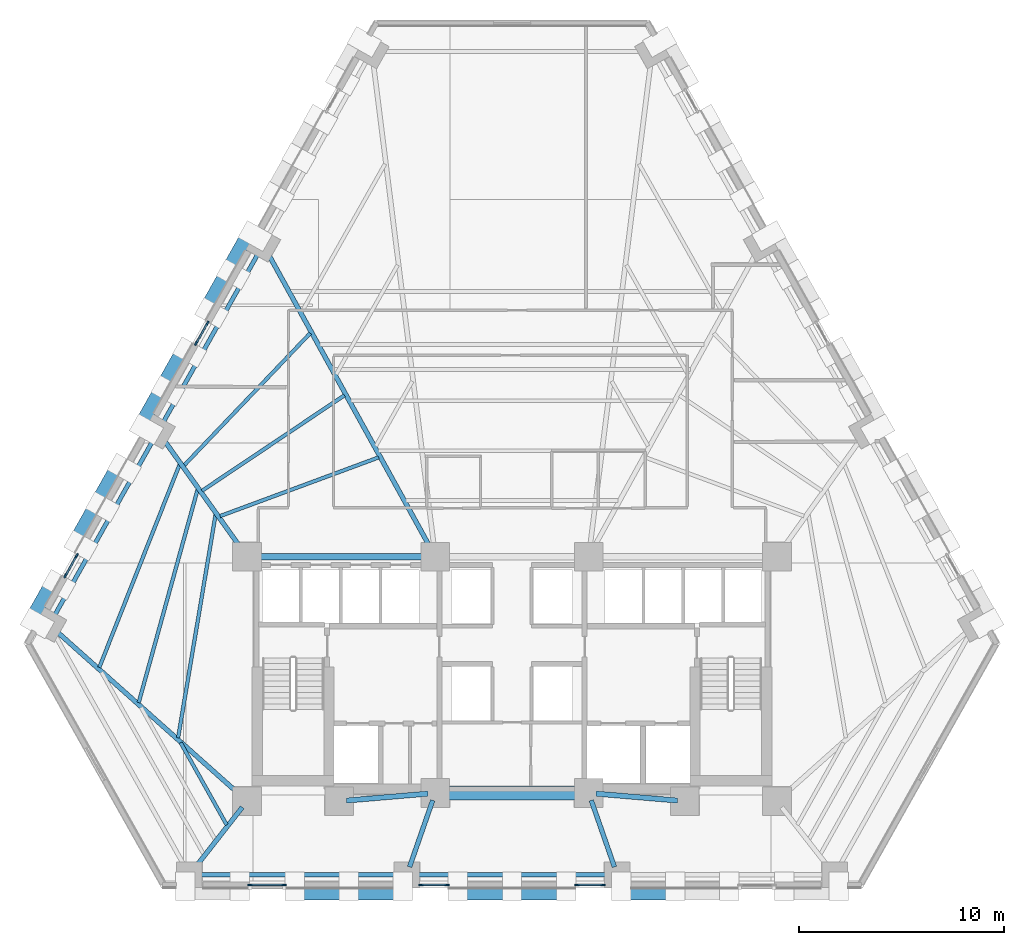
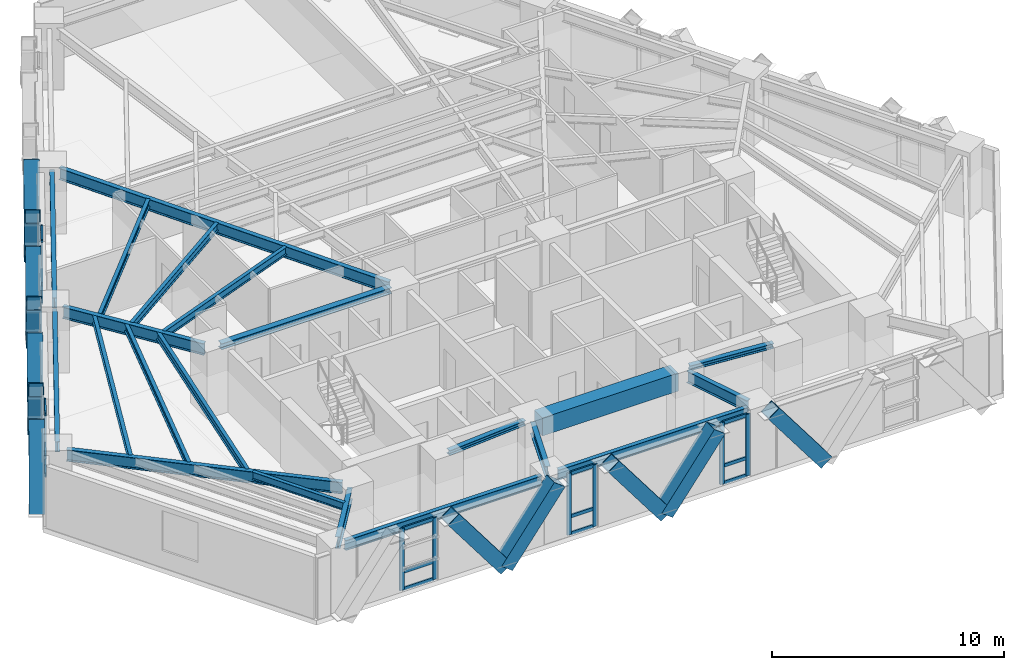
# One storey, part 2 of 13: 37 members, 21 beams, 5 elements without a shape of their own.
"""IFC4 building model written with IfcOpenShell, lengths in metres."""

from ifc_helpers import new_model, si_unit, direction, frame, origin, origin_2d, place, context, subcontext, project, spatial, rectangle, hollow_rectangle, i_section, extrude, material, material_profile, profile_set, type_object, element, aggregate, save


model = new_model("IFC4")

# Units and contexts
model_context = context("Model", 3, precision=1e-05, world=origin(), true_north=direction((0.0, 1.0)))
body_context = subcontext(model_context, "Body", "Model", "MODEL_VIEW")
ifc_project = project(units=[si_unit("LENGTHUNIT", "METRE"), si_unit("AREAUNIT", "SQUARE_METRE"), si_unit("VOLUMEUNIT", "CUBIC_METRE"), si_unit("PLANEANGLEUNIT", "RADIAN"), si_unit("MASSUNIT", "GRAM", prefix="KILO")], contexts=[model_context])

# Site, building, storey
site_placement = place(None, origin())
site = spatial("IfcSite", under=ifc_project, at=site_placement, CompositionType="ELEMENT")
building_placement = place(site_placement, origin())
building = spatial("IfcBuilding", under=site, at=building_placement, Name="Quenlor Broadcast Tower", CompositionType="ELEMENT")
storey_placement = place(building_placement, frame((0.0, 0.0, 48.60009765625)))
storey = spatial("IfcBuildingStorey", under=building, at=storey_placement, Name="L12", CompositionType="ELEMENT", Elevation=48.60009765625)

# Curtain wall, members
ifc_material_1 = material(Name="Architectural Terracotta and Low-E Glazing", Category="masonry")
curtain_wall_type = type_object("IfcCurtainWallType", Name="Unitised Terracotta Curtain Wall System Z1", PredefinedType="NOTDEFINED", material=ifc_material_1)
curtain_wall_1_placement = place(storey_placement, origin())
curtain_wall_1 = element("IfcCurtainWall", 1, at=curtain_wall_1_placement, inside=storey, type_object=curtain_wall_type, Name="L12 Curtain Wall CW1 (L12-SC-G1)", PredefinedType="NOTDEFINED")
ifc_material_2 = material(Name="Aluminium 6063-T6", Category="aluminium")
ifc_material_profile_1 = material_profile(ifc_material_2, rectangle(XDim=0.080078125, YDim=0.219970703125, at=origin_2d()))
ifc_profile_set_1 = profile_set([ifc_material_profile_1], Name="Aluminium 6063-T6 MULL80x220")
member_type_1 = type_object("IfcMemberType", Name="CW1 Aluminium Mullion MULL_CW1", PredefinedType="MULLION", material=ifc_profile_set_1)
member_1_placement = place(storey_placement, frame((-11.146484375, -20.840087890625, 0.0), z_axis=(0.0, 0.0, 1.0), x_axis=(0.0, -1.0, 0.0)))
member_1 = element("IfcMember", 2, at=member_1_placement, type_object=member_type_1, Name="CW1 mullion 1", PredefinedType="MULLION", context=body_context, shape_type="SweptSolid", body=[
    extrude(rectangle(XDim=0.080078125, YDim=0.219970703125, at=origin_2d()), origin(), (0.0, 0.0, 1.0), 3.25),
])
member_2_placement = place(storey_placement, frame((-12.794921875, -20.840087890625, 0.0), z_axis=(0.0, 0.0, 1.0), x_axis=(0.0, -1.0, 0.0)))
member_2 = element("IfcMember", 3, at=member_2_placement, type_object=member_type_1, Name="CW1 mullion 2", PredefinedType="MULLION", context=body_context, shape_type="SweptSolid", body=[
    extrude(rectangle(XDim=0.080078125, YDim=0.219970703125, at=origin_2d()), origin(), (0.0, 0.0, 1.0), 3.25),
])

curtain_wall_2_placement = place(storey_placement, origin())
curtain_wall_2 = element("IfcCurtainWall", 4, at=curtain_wall_2_placement, inside=storey, type_object=curtain_wall_type, Name="L12 Curtain Wall CW1 (L12-S-G1)", PredefinedType="NOTDEFINED")
member_3_placement = place(storey_placement, frame((4.455810546875, -20.840087890625, 0.0), z_axis=(0.0, 0.0, 1.0), x_axis=(0.0, -1.0, 0.0)))
member_3 = element("IfcMember", 5, at=member_3_placement, type_object=member_type_1, Name="CW1 mullion 1", PredefinedType="MULLION", context=body_context, shape_type="SweptSolid", body=[
    extrude(rectangle(XDim=0.080078125, YDim=0.219970703125, at=origin_2d()), origin(), (0.0, 0.0, 1.0), 3.25),
])
member_4_placement = place(storey_placement, frame((3.166015625, -20.840087890625, 0.0), z_axis=(0.0, 0.0, 1.0), x_axis=(0.0, -1.0, 0.0)))
member_4 = element("IfcMember", 6, at=member_4_placement, type_object=member_type_1, Name="CW1 mullion 2", PredefinedType="MULLION", context=body_context, shape_type="SweptSolid", body=[
    extrude(rectangle(XDim=0.080078125, YDim=0.219970703125, at=origin_2d()), origin(), (0.0, 0.0, 1.0), 3.25),
])

curtain_wall_3_placement = place(storey_placement, origin())
curtain_wall_3 = element("IfcCurtainWall", 7, at=curtain_wall_3_placement, inside=storey, type_object=curtain_wall_type, Name="L12 Curtain Wall CW1 (L12-S-G2)", PredefinedType="NOTDEFINED")
member_5_placement = place(storey_placement, frame((-3.166015625, -20.840087890625, 0.0), z_axis=(0.0, 0.0, 1.0), x_axis=(0.0, -1.0, 0.0)))
member_5 = element("IfcMember", 8, at=member_5_placement, type_object=member_type_1, Name="CW1 mullion 1", PredefinedType="MULLION", context=body_context, shape_type="SweptSolid", body=[
    extrude(rectangle(XDim=0.080078125, YDim=0.219970703125, at=origin_2d()), origin(), (0.0, 0.0, 1.0), 3.25),
])
member_6_placement = place(storey_placement, frame((-4.455810546875, -20.840087890625, 0.0), z_axis=(0.0, 0.0, 1.0), x_axis=(0.0, -1.0, 0.0)))
member_6 = element("IfcMember", 9, at=member_6_placement, type_object=member_type_1, Name="CW1 mullion 2", PredefinedType="MULLION", context=body_context, shape_type="SweptSolid", body=[
    extrude(rectangle(XDim=0.080078125, YDim=0.219970703125, at=origin_2d()), origin(), (0.0, 0.0, 1.0), 3.25),
])

curtain_wall_4_placement = place(storey_placement, origin())
curtain_wall_4 = element("IfcCurtainWall", 10, at=curtain_wall_4_placement, inside=storey, type_object=curtain_wall_type, Name="L12 Curtain Wall CW1 (L12-NWA-G1)", PredefinedType="NOTDEFINED")
member_7_placement = place(storey_placement, frame((-21.830810546875, -5.73681640625, 0.0), z_axis=(0.0, 0.0, 1.0), x_axis=(-0.871566703483, 0.490276943553, 0.0)))
member_7 = element("IfcMember", 11, at=member_7_placement, type_object=member_type_1, Name="CW1 mullion 1", PredefinedType="MULLION", context=body_context, shape_type="SweptSolid", body=[
    extrude(rectangle(XDim=0.080078125, YDim=0.219970703125, at=origin_2d()), origin(), (0.0, 0.0, 1.0), 3.25),
])
member_8_placement = place(storey_placement, frame((-21.277099609375, -4.75244140625, 0.0), z_axis=(0.0, 0.0, 1.0), x_axis=(-0.871566703483, 0.490276943553, 0.0)))
member_8 = element("IfcMember", 12, at=member_8_placement, type_object=member_type_1, Name="CW1 mullion 2", PredefinedType="MULLION", context=body_context, shape_type="SweptSolid", body=[
    extrude(rectangle(XDim=0.080078125, YDim=0.219970703125, at=origin_2d()), origin(), (0.0, 0.0, 1.0), 3.25),
])

curtain_wall_5_placement = place(storey_placement, origin())
curtain_wall_5 = element("IfcCurtainWall", 13, at=curtain_wall_5_placement, inside=storey, type_object=curtain_wall_type, Name="L12 Curtain Wall CW1 (L12-NW-G1)", PredefinedType="NOTDEFINED")
member_9_placement = place(storey_placement, frame((-15.4375, 5.62939453125, 0.0), z_axis=(0.0, 0.0, 1.0), x_axis=(-0.871566703483, 0.490276943553, 0.0)))
member_9 = element("IfcMember", 14, at=member_9_placement, type_object=member_type_1, Name="CW1 mullion 1", PredefinedType="MULLION", context=body_context, shape_type="SweptSolid", body=[
    extrude(rectangle(XDim=0.080078125, YDim=0.219970703125, at=origin_2d()), origin(), (0.0, 0.0, 1.0), 3.25),
])
member_10_placement = place(storey_placement, frame((-14.8837890625, 6.61376953125, 0.0), z_axis=(0.0, 0.0, 1.0), x_axis=(-0.871566703483, 0.490276943553, 0.0)))
member_10 = element("IfcMember", 15, at=member_10_placement, type_object=member_type_1, Name="CW1 mullion 2", PredefinedType="MULLION", context=body_context, shape_type="SweptSolid", body=[
    extrude(rectangle(XDim=0.080078125, YDim=0.219970703125, at=origin_2d()), origin(), (0.0, 0.0, 1.0), 3.25),
])

# Member
ifc_material_3 = material(Name="Aluminium 6063-T6", Category="aluminium")
ifc_material_profile_2 = material_profile(ifc_material_3, rectangle(XDim=0.080078125, YDim=0.179931640625, at=origin_2d()))
ifc_profile_set_2 = profile_set([ifc_material_profile_2], Name="Aluminium 6063-T6 TRAN80x180")
member_type_2 = type_object("IfcMemberType", Name="CW1 Aluminium Transom TRAN_CW1", PredefinedType="USERDEFINED", material=ifc_profile_set_2)
member_11_placement = place(storey_placement, frame((-11.1865234375, -20.840087890625, 0.039794921875), z_axis=(-1.0, 0.0, 0.0), x_axis=(0.0, -1.0, 0.0)))
member_11 = element("IfcMember", 16, at=member_11_placement, type_object=member_type_2, Name="CW1 transom 1.1", ObjectType="TRANSOM", PredefinedType="USERDEFINED", context=body_context, shape_type="SweptSolid", body=[
    extrude(rectangle(XDim=0.080078125, YDim=0.179931640625, at=origin_2d()), origin(), (0.0, 0.0, 1.0), 1.568359375),
])

member_12_placement = place(storey_placement, frame((-11.1865234375, -20.840087890625, 0.949951171875), z_axis=(-1.0, 0.0, 0.0), x_axis=(0.0, -1.0, 0.0)))
member_12 = element("IfcMember", 17, at=member_12_placement, type_object=member_type_2, Name="CW1 transom 1.2", ObjectType="TRANSOM", PredefinedType="USERDEFINED", context=body_context, shape_type="SweptSolid", body=[
    extrude(rectangle(XDim=0.080078125, YDim=0.179931640625, at=origin_2d()), origin(), (0.0, 0.0, 1.0), 1.568359375),
])

member_13_placement = place(storey_placement, frame((-11.1865234375, -20.840087890625, 3.2099609375), z_axis=(-1.0, 0.0, 0.0), x_axis=(0.0, -1.0, 0.0)))
member_13 = element("IfcMember", 18, at=member_13_placement, type_object=member_type_2, Name="CW1 transom 1.3", ObjectType="TRANSOM", PredefinedType="USERDEFINED", context=body_context, shape_type="SweptSolid", body=[
    extrude(rectangle(XDim=0.080078125, YDim=0.179931640625, at=origin_2d()), origin(), (0.0, 0.0, 1.0), 1.568359375),
])

aggregate(curtain_wall_1, [member_1, member_2, member_11, member_12, member_13])

member_14_placement = place(storey_placement, frame((4.415771484375, -20.840087890625, 0.039794921875), z_axis=(-1.0, 0.0, 0.0), x_axis=(0.0, -1.0, 0.0)))
member_14 = element("IfcMember", 19, at=member_14_placement, type_object=member_type_2, Name="CW1 transom 1.1", ObjectType="TRANSOM", PredefinedType="USERDEFINED", context=body_context, shape_type="SweptSolid", body=[
    extrude(rectangle(XDim=0.080078125, YDim=0.179931640625, at=origin_2d()), origin(), (0.0, 0.0, 1.0), 1.209716796875),
])

member_15_placement = place(storey_placement, frame((4.415771484375, -20.840087890625, 0.949951171875), z_axis=(-1.0, 0.0, 0.0), x_axis=(0.0, -1.0, 0.0)))
member_15 = element("IfcMember", 20, at=member_15_placement, type_object=member_type_2, Name="CW1 transom 1.2", ObjectType="TRANSOM", PredefinedType="USERDEFINED", context=body_context, shape_type="SweptSolid", body=[
    extrude(rectangle(XDim=0.080078125, YDim=0.179931640625, at=origin_2d()), origin(), (0.0, 0.0, 1.0), 1.209716796875),
])

member_16_placement = place(storey_placement, frame((4.415771484375, -20.840087890625, 3.2099609375), z_axis=(-1.0, 0.0, 0.0), x_axis=(0.0, -1.0, 0.0)))
member_16 = element("IfcMember", 21, at=member_16_placement, type_object=member_type_2, Name="CW1 transom 1.3", ObjectType="TRANSOM", PredefinedType="USERDEFINED", context=body_context, shape_type="SweptSolid", body=[
    extrude(rectangle(XDim=0.080078125, YDim=0.179931640625, at=origin_2d()), origin(), (0.0, 0.0, 1.0), 1.209716796875),
])

aggregate(curtain_wall_2, [member_3, member_4, member_14, member_15, member_16])

member_17_placement = place(storey_placement, frame((-3.2060546875, -20.840087890625, 0.039794921875), z_axis=(-1.0, 0.0, 0.0), x_axis=(0.0, -1.0, 0.0)))
member_17 = element("IfcMember", 22, at=member_17_placement, type_object=member_type_2, Name="CW1 transom 1.1", ObjectType="TRANSOM", PredefinedType="USERDEFINED", context=body_context, shape_type="SweptSolid", body=[
    extrude(rectangle(XDim=0.080078125, YDim=0.179931640625, at=origin_2d()), origin(), (0.0, 0.0, 1.0), 1.209716796875),
])

member_18_placement = place(storey_placement, frame((-3.2060546875, -20.840087890625, 0.949951171875), z_axis=(-1.0, 0.0, 0.0), x_axis=(0.0, -1.0, 0.0)))
member_18 = element("IfcMember", 23, at=member_18_placement, type_object=member_type_2, Name="CW1 transom 1.2", ObjectType="TRANSOM", PredefinedType="USERDEFINED", context=body_context, shape_type="SweptSolid", body=[
    extrude(rectangle(XDim=0.080078125, YDim=0.179931640625, at=origin_2d()), origin(), (0.0, 0.0, 1.0), 1.209716796875),
])

member_19_placement = place(storey_placement, frame((-3.2060546875, -20.840087890625, 3.2099609375), z_axis=(-1.0, 0.0, 0.0), x_axis=(0.0, -1.0, 0.0)))
member_19 = element("IfcMember", 24, at=member_19_placement, type_object=member_type_2, Name="CW1 transom 1.3", ObjectType="TRANSOM", PredefinedType="USERDEFINED", context=body_context, shape_type="SweptSolid", body=[
    extrude(rectangle(XDim=0.080078125, YDim=0.179931640625, at=origin_2d()), origin(), (0.0, 0.0, 1.0), 1.209716796875),
])

aggregate(curtain_wall_3, [member_5, member_6, member_17, member_18, member_19])

member_20_placement = place(storey_placement, frame((-21.811279296875, -5.701904296875, 0.039794921875), z_axis=(0.490239146026, 0.87158796441, 0.0), x_axis=(-0.87158796441, 0.490239146026, 0.0)))
member_20 = element("IfcMember", 25, at=member_20_placement, type_object=member_type_2, Name="CW1 transom 1.1", ObjectType="TRANSOM", PredefinedType="USERDEFINED", context=body_context, shape_type="SweptSolid", body=[
    extrude(rectangle(XDim=0.080078125, YDim=0.179931640625, at=origin_2d()), origin(), (0.0, 0.0, 1.0), 1.04931640625),
])

member_21_placement = place(storey_placement, frame((-21.811279296875, -5.701904296875, 0.949951171875), z_axis=(0.490239146026, 0.87158796441, 0.0), x_axis=(-0.87158796441, 0.490239146026, 0.0)))
member_21 = element("IfcMember", 26, at=member_21_placement, type_object=member_type_2, Name="CW1 transom 1.2", ObjectType="TRANSOM", PredefinedType="USERDEFINED", context=body_context, shape_type="SweptSolid", body=[
    extrude(rectangle(XDim=0.080078125, YDim=0.179931640625, at=origin_2d()), origin(), (0.0, 0.0, 1.0), 1.04931640625),
])

member_22_placement = place(storey_placement, frame((-21.811279296875, -5.701904296875, 3.2099609375), z_axis=(0.490239146026, 0.87158796441, 0.0), x_axis=(-0.87158796441, 0.490239146026, 0.0)))
member_22 = element("IfcMember", 27, at=member_22_placement, type_object=member_type_2, Name="CW1 transom 1.3", ObjectType="TRANSOM", PredefinedType="USERDEFINED", context=body_context, shape_type="SweptSolid", body=[
    extrude(rectangle(XDim=0.080078125, YDim=0.179931640625, at=origin_2d()), origin(), (0.0, 0.0, 1.0), 1.04931640625),
])

aggregate(curtain_wall_4, [member_7, member_8, member_20, member_21, member_22])

member_23_placement = place(storey_placement, frame((-15.417724609375, 5.664306640625, 0.039794921875), z_axis=(0.490239146026, 0.87158796441, 0.0), x_axis=(-0.87158796441, 0.490239146026, 0.0)))
member_23 = element("IfcMember", 28, at=member_23_placement, type_object=member_type_2, Name="CW1 transom 1.1", ObjectType="TRANSOM", PredefinedType="USERDEFINED", context=body_context, shape_type="SweptSolid", body=[
    extrude(rectangle(XDim=0.080078125, YDim=0.179931640625, at=origin_2d()), origin(), (0.0, 0.0, 1.0), 1.04931640625),
])

member_24_placement = place(storey_placement, frame((-15.417724609375, 5.664306640625, 0.949951171875), z_axis=(0.490239146026, 0.87158796441, 0.0), x_axis=(-0.87158796441, 0.490239146026, 0.0)))
member_24 = element("IfcMember", 29, at=member_24_placement, type_object=member_type_2, Name="CW1 transom 1.2", ObjectType="TRANSOM", PredefinedType="USERDEFINED", context=body_context, shape_type="SweptSolid", body=[
    extrude(rectangle(XDim=0.080078125, YDim=0.179931640625, at=origin_2d()), origin(), (0.0, 0.0, 1.0), 1.04931640625),
])

member_25_placement = place(storey_placement, frame((-15.417724609375, 5.664306640625, 3.2099609375), z_axis=(0.490239146026, 0.87158796441, 0.0), x_axis=(-0.87158796441, 0.490239146026, 0.0)))
member_25 = element("IfcMember", 30, at=member_25_placement, type_object=member_type_2, Name="CW1 transom 1.3", ObjectType="TRANSOM", PredefinedType="USERDEFINED", context=body_context, shape_type="SweptSolid", body=[
    extrude(rectangle(XDim=0.080078125, YDim=0.179931640625, at=origin_2d()), origin(), (0.0, 0.0, 1.0), 1.04931640625),
])

aggregate(curtain_wall_5, [member_9, member_10, member_23, member_24, member_25])

# Beams
ifc_material_4 = material(Name="Concrete C50/60", Category="concrete")
ifc_material_profile_3 = material_profile(ifc_material_4, rectangle(XDim=0.699951171875, YDim=0.949951171875, at=origin_2d()))
ifc_profile_set_3 = profile_set([ifc_material_profile_3], Name="Concrete C50/60 RCB700x950")
beam_type_1 = type_object("IfcBeamType", Name="Core Coupling Beam Concrete C50/60 700x950", PredefinedType="BEAM", material=ifc_profile_set_3)
beam_1_placement = place(storey_placement, frame((-3.389892578125, -16.35009765625, 2.77490234375), z_axis=(1.0, 0.0, 0.0), x_axis=(0.0, 1.0, 0.0)))
element("IfcBeam", 31, at=beam_1_placement, inside=storey, type_object=beam_type_1, Name="L12 Core Coupling Beam 6", PredefinedType="BEAM", context=body_context, shape_type="SweptSolid", body=[
    extrude(rectangle(XDim=0.699951171875, YDim=0.949951171875, at=origin_2d()), origin(), (0.0, 0.0, 1.0), 6.77978515625),
])
ifc_material_5 = material(Name="Steel S355", Category="steel")
ifc_material_profile_4 = material_profile(ifc_material_5, i_section(OverallWidth=0.25390625, OverallDepth=0.25390625, WebThickness=0.008544921875, FlangeThickness=0.01416015625, FilletRadius=0.013916015625, at=origin_2d()))
ifc_profile_set_4 = profile_set([ifc_material_profile_4], Name="Steel S355 250UC72.9")
beam_type_2 = type_object("IfcBeamType", Name="Core Opening Lintel Beam Steel S355 250UC72.9", PredefinedType="LINTEL", material=ifc_profile_set_4)
for number, where, z_axis, x_axis, name in (
    (32, (-8.09130859375, -16.719482421875, 3.123046875), (0.996399763903, 0.084779186679, 0.0), (-0.084779186679, 0.996399763903, 0.0), "L12 Core Opening Lintel Beam 4"),
    (33, (4.108642578125, -16.380615234375, 3.123046875), (0.996399763903, -0.084779186679, 0.0), (0.084779186679, 0.996399763903, 0.0), "L12 Core Opening Lintel Beam 5"),
):
    element("IfcBeam", number, at=place(storey_placement, frame(where, z_axis=z_axis, x_axis=x_axis)), inside=storey, type_object=beam_type_2, Name=name, PredefinedType="LINTEL", context=body_context, shape_type="SweptSolid", body=[
        extrude(i_section(OverallWidth=0.25390625, OverallDepth=0.25390625, WebThickness=0.008544921875, FlangeThickness=0.01416015625, FilletRadius=0.013916015625, at=origin_2d()), origin(), (0.0, 0.0, 1.0), 3.9970703125),
    ])
ifc_material_6 = material(Name="Steel S355", Category="steel")
ifc_material_profile_5 = material_profile(ifc_material_6, i_section(OverallWidth=0.306884765625, OverallDepth=0.314697265625, WebThickness=0.011962890625, FlangeThickness=0.018798828125, FilletRadius=0.0166015625, at=origin_2d()))
ifc_profile_set_5 = profile_set([ifc_material_profile_5], Name="Steel S355 310UC118")
beam_type_3 = type_object("IfcBeamType", Name="Core Tie Beam Steel S355 310UC118", PredefinedType="BEAM", material=ifc_profile_set_5)
beam_2_placement = place(storey_placement, frame((-12.590087890625, -4.800048828125, 3.092529296875), z_axis=(1.0, 0.0, 0.0), x_axis=(0.0, 1.0, 0.0)))
element("IfcBeam", 34, at=beam_2_placement, inside=storey, type_object=beam_type_3, Name="L12 Core Tie Beam 1", PredefinedType="BEAM", context=body_context, shape_type="SweptSolid", body=[
    extrude(i_section(OverallWidth=0.306884765625, OverallDepth=0.314697265625, WebThickness=0.011962890625, FlangeThickness=0.018798828125, FilletRadius=0.0166015625, at=origin_2d()), origin(), (0.0, 0.0, 1.0), 8.47998046875),
])

# Members
ifc_material_7 = material(Name="Steel S355", Category="steel")
ifc_material_profile_6 = material_profile(ifc_material_7, hollow_rectangle(XDim=0.679931640625, YDim=0.679931640625, WallThickness=0.034912109375, at=origin_2d()))
ifc_profile_set_6 = profile_set([ifc_material_profile_6], Name="Steel S355 RHS680x680x35")
member_type_3 = type_object("IfcMemberType", Name="Perimeter Diagonal Lattice Brace Z1 Steel S355 RHS680x35", PredefinedType="BRACE", material=ifc_profile_set_6)
for number, where, z_axis, x_axis, name in (
    (35, (7.964599609375, -21.235107421875, -0.1201171875), (-0.60049964856, 0.0, 0.799625019668), (0.0, -1.0, 0.0), "L12 Perimeter Diamond Lattice S-C2S"),
    (36, (0.01611328125, -21.235107421875, -0.1201171875), (0.600463982679, 0.0, 0.799651802665), (0.0, 1.0, 0.0), "L12 Perimeter Diamond Lattice S-C2B"),
    (37, (-0.01611328125, -21.235107421875, -0.1201171875), (-0.600463982679, 0.0, 0.799651802665), (0.0, -1.0, 0.0), "L12 Perimeter Diamond Lattice S-C3S"),
    (38, (-7.964599609375, -21.235107421875, -0.1201171875), (0.60049964856, 0.0, 0.799625019668), (0.0, 1.0, 0.0), "L12 Perimeter Diamond Lattice S-C3B"),
    (39, (-7.99658203125, -21.235107421875, -0.1201171875), (-0.600463982679, 0.0, 0.799651802665), (0.0, -1.0, 0.0), "L12 Perimeter Diamond Lattice S-C4S"),
):
    element("IfcMember", number, at=place(storey_placement, frame(where, z_axis=z_axis, x_axis=x_axis)), inside=storey, type_object=member_type_3, Name=name, PredefinedType="BRACE", context=body_context, shape_type="SweptSolid", body=[
        extrude(hollow_rectangle(XDim=0.679931640625, YDim=0.679931640625, WallThickness=0.034912109375, at=origin_2d()), origin(), (0.0, 0.0, 1.0), 4.376953125),
    ])
member_26_placement = place(storey_placement, frame((-23.490234375, -7.88134765625, -0.1201171875), z_axis=(0.256368393635, 0.455838699906, 0.852341672343), x_axis=(-0.871608931644, 0.490201866865, 0.0)))
element("IfcMember", 40, at=member_26_placement, inside=storey, type_object=member_type_3, Name="L12 Perimeter Diamond Lattice NW-C1S", PredefinedType="BRACE", context=body_context, shape_type="SweptSolid", body=[
    extrude(hollow_rectangle(XDim=0.679931640625, YDim=0.679931640625, WallThickness=0.034912109375, at=origin_2d()), origin(), (0.0, 0.0, 1.0), 4.1064453125),
])
for number, where, z_axis, x_axis, name in (
    (41, (-20.306396484375, -2.220947265625, -0.1201171875), (-0.256375341489, -0.45579159737, 0.852364771705), (0.871581609758, -0.490250443683, 0.0), "L12 Perimeter Diamond Lattice NW-C1B"),
    (42, (-20.29345703125, -2.197998046875, -0.1201171875), (0.256375341489, 0.45579159737, 0.852364771705), (-0.871581609758, 0.490250443683, 0.0), "L12 Perimeter Diamond Lattice NW-C2S"),
    (43, (-17.109619140625, 3.46240234375, -0.1201171875), (-0.256375341489, -0.45579159737, 0.852364771705), (0.871581609758, -0.490250443683, 0.0), "L12 Perimeter Diamond Lattice NW-C2B"),
    (44, (-17.0966796875, 3.485107421875, -0.1201171875), (0.256375341489, 0.45579159737, 0.852364771705), (-0.871581609758, 0.490250443683, 0.0), "L12 Perimeter Diamond Lattice NW-C3S"),
):
    element("IfcMember", number, at=place(storey_placement, frame(where, z_axis=z_axis, x_axis=x_axis)), inside=storey, type_object=member_type_3, Name=name, PredefinedType="BRACE", context=body_context, shape_type="SweptSolid", body=[
        extrude(hollow_rectangle(XDim=0.679931640625, YDim=0.679931640625, WallThickness=0.034912109375, at=origin_2d()), origin(), (0.0, 0.0, 1.0), 4.106201171875),
    ])
member_27_placement = place(storey_placement, frame((-13.912841796875, 9.1455078125, -0.1201171875), z_axis=(-0.256368393635, -0.455838699906, 0.852341672343), x_axis=(0.871608931644, -0.490201866865, 0.0)))
element("IfcMember", 45, at=member_27_placement, inside=storey, type_object=member_type_3, Name="L12 Perimeter Diamond Lattice NW-C3B", PredefinedType="BRACE", context=body_context, shape_type="SweptSolid", body=[
    extrude(hollow_rectangle(XDim=0.679931640625, YDim=0.679931640625, WallThickness=0.034912109375, at=origin_2d()), origin(), (0.0, 0.0, 1.0), 4.1064453125),
])
member_28_placement = place(storey_placement, frame((-13.89990234375, 9.168212890625, -0.1201171875), z_axis=(0.256375341489, 0.45579159737, 0.852364771705), x_axis=(-0.871581609758, 0.490250443683, 0.0)))
element("IfcMember", 46, at=member_28_placement, inside=storey, type_object=member_type_3, Name="L12 Perimeter Diamond Lattice NW-C4S", PredefinedType="BRACE", context=body_context, shape_type="SweptSolid", body=[
    extrude(hollow_rectangle(XDim=0.679931640625, YDim=0.679931640625, WallThickness=0.034912109375, at=origin_2d()), origin(), (0.0, 0.0, 1.0), 4.106201171875),
])

# Beams
ifc_material_8 = material(Name="Steel S355", Category="steel")
ifc_material_profile_7 = material_profile(ifc_material_8, i_section(OverallWidth=0.208984375, OverallDepth=0.532958984375, WebThickness=0.01025390625, FlangeThickness=0.015625, FilletRadius=0.013916015625, at=origin_2d()))
ifc_profile_set_7 = profile_set([ifc_material_profile_7], Name="Steel S355 530UB92.4")
beam_type_4 = type_object("IfcBeamType", Name="Perimeter Spandrel Beam Z1 Steel S355 530UB92.4", PredefinedType="SPANDREL", material=ifc_profile_set_7)
beam_3_placement = place(storey_placement, frame((-15.35498046875, -20.35009765625, 2.9833984375), z_axis=(1.0, 0.0, 0.0), x_axis=(0.0, 1.0, 0.0)))
element("IfcBeam", 47, at=beam_3_placement, inside=storey, type_object=beam_type_4, Name="L12 Spandrel Beam S1-S2", PredefinedType="SPANDREL", context=body_context, shape_type="SweptSolid", body=[
    extrude(i_section(OverallWidth=0.208984375, OverallDepth=0.532958984375, WebThickness=0.01025390625, FlangeThickness=0.015625, FilletRadius=0.013916015625, at=origin_2d()), origin(), (0.0, 0.0, 1.0), 9.80419921875),
])
beam_4_placement = place(storey_placement, frame((-4.730712890625, -20.35009765625, 2.9833984375), z_axis=(1.0, 0.0, 0.0), x_axis=(0.0, 1.0, 0.0)))
element("IfcBeam", 48, at=beam_4_placement, inside=storey, type_object=beam_type_4, Name="L12 Spandrel Beam S2-S3", PredefinedType="SPANDREL", context=body_context, shape_type="SweptSolid", body=[
    extrude(i_section(OverallWidth=0.208984375, OverallDepth=0.532958984375, WebThickness=0.01025390625, FlangeThickness=0.015625, FilletRadius=0.013916015625, at=origin_2d()), origin(), (0.0, 0.0, 1.0), 9.46142578125),
])
beam_5_placement = place(storey_placement, frame((-12.364013671875, 10.093505859375, 2.9833984375), z_axis=(-0.490257642051, -0.871577560755, 0.0), x_axis=(0.871577560755, -0.490257642051, 0.0)))
element("IfcBeam", 49, at=beam_5_placement, inside=storey, type_object=beam_type_4, Name="L12 Spandrel Beam NW2-NW3", PredefinedType="SPANDREL", context=body_context, shape_type="SweptSolid", body=[
    extrude(i_section(OverallWidth=0.208984375, OverallDepth=0.532958984375, WebThickness=0.01025390625, FlangeThickness=0.015625, FilletRadius=0.013916015625, at=origin_2d()), origin(), (0.0, 0.0, 1.0), 9.665771484375),
])
beam_6_placement = place(storey_placement, frame((-17.5048828125, 0.954345703125, 2.9833984375), z_axis=(-0.490257767622, -0.871577490121, 0.0), x_axis=(0.871577490121, -0.490257767622, 0.0)))
element("IfcBeam", 50, at=beam_6_placement, inside=storey, type_object=beam_type_4, Name="L12 Spandrel Beam NW3-NW4", PredefinedType="SPANDREL", context=body_context, shape_type="SweptSolid", body=[
    extrude(i_section(OverallWidth=0.208984375, OverallDepth=0.532958984375, WebThickness=0.01025390625, FlangeThickness=0.015625, FilletRadius=0.013916015625, at=origin_2d()), origin(), (0.0, 0.0, 1.0), 10.015380859375),
])
ifc_material_9 = material(Name="Steel S355", Category="steel")
ifc_material_profile_8 = material_profile(ifc_material_9, i_section(OverallWidth=0.177978515625, OverallDepth=0.406494140625, WebThickness=0.0078125, FlangeThickness=0.0126953125, FilletRadius=0.011474609375, at=origin_2d()))
ifc_profile_set_8 = profile_set([ifc_material_profile_8], Name="Steel S355 410UB59.7")
beam_type_5 = type_object("IfcBeamType", Name="Tower Composite Joist Z1 Steel S355 410UB59.7", PredefinedType="JOIST", material=ifc_profile_set_8)
beam_7_placement = place(storey_placement, frame((-14.268310546875, -2.81640625, 3.046630859375), z_axis=(0.937824633945, 0.347109429383, 0.0), x_axis=(-0.347109429383, 0.937824633945, 0.0)))
element("IfcBeam", 51, at=beam_7_placement, inside=storey, type_object=beam_type_5, Name="L12 Secondary Composite Joist 7", PredefinedType="JOIST", context=body_context, shape_type="SweptSolid", body=[
    extrude(i_section(OverallWidth=0.177978515625, OverallDepth=0.406494140625, WebThickness=0.0078125, FlangeThickness=0.0126953125, FilletRadius=0.011474609375, at=origin_2d()), origin(), (0.0, 0.0, 1.0), 8.26513671875),
])
beam_8_placement = place(storey_placement, frame((-15.147705078125, -1.577392578125, 3.046630859375), z_axis=(0.830625844363, 0.556830949819, 0.0), x_axis=(-0.556830949819, 0.830625844363, 0.0)))
element("IfcBeam", 52, at=beam_8_placement, inside=storey, type_object=beam_type_5, Name="L12 Secondary Composite Joist 8", PredefinedType="JOIST", context=body_context, shape_type="SweptSolid", body=[
    extrude(i_section(OverallWidth=0.177978515625, OverallDepth=0.406494140625, WebThickness=0.0078125, FlangeThickness=0.0126953125, FilletRadius=0.011474609375, at=origin_2d()), origin(), (0.0, 0.0, 1.0), 8.374755859375),
])
beam_9_placement = place(storey_placement, frame((-16.029541015625, -0.341796875, 3.046630859375), z_axis=(0.690241086162, 0.723579465556, 0.0), x_axis=(-0.723579465556, 0.690241086162, 0.0)))
element("IfcBeam", 53, at=beam_9_placement, inside=storey, type_object=beam_type_5, Name="L12 Secondary Composite Joist 9", PredefinedType="JOIST", context=body_context, shape_type="SweptSolid", body=[
    extrude(i_section(OverallWidth=0.177978515625, OverallDepth=0.406494140625, WebThickness=0.0078125, FlangeThickness=0.0126953125, FilletRadius=0.011474609375, at=origin_2d()), origin(), (0.0, 0.0, 1.0), 8.93408203125),
])
beam_10_placement = place(storey_placement, frame((-16.31982421875, -13.65478515625, 3.046630859375), z_axis=(0.16559360599, 0.986194077074, 0.0), x_axis=(-0.986194077074, 0.16559360599, 0.0)))
element("IfcBeam", 54, at=beam_10_placement, inside=storey, type_object=beam_type_5, Name="L12 Secondary Composite Joist 13", PredefinedType="JOIST", context=body_context, shape_type="SweptSolid", body=[
    extrude(i_section(OverallWidth=0.177978515625, OverallDepth=0.406494140625, WebThickness=0.0078125, FlangeThickness=0.0126953125, FilletRadius=0.011474609375, at=origin_2d()), origin(), (0.0, 0.0, 1.0), 11.06787109375),
])
beam_11_placement = place(storey_placement, frame((-18.2451171875, -11.93310546875, 3.046630859375), z_axis=(0.266390054368, 0.963865311615, 0.0), x_axis=(-0.963865311615, 0.266390054368, 0.0)))
element("IfcBeam", 55, at=beam_11_placement, inside=storey, type_object=beam_type_5, Name="L12 Secondary Composite Joist 14", PredefinedType="JOIST", context=body_context, shape_type="SweptSolid", body=[
    extrude(i_section(OverallWidth=0.177978515625, OverallDepth=0.406494140625, WebThickness=0.0078125, FlangeThickness=0.0126953125, FilletRadius=0.011474609375, at=origin_2d()), origin(), (0.0, 0.0, 1.0), 10.80810546875),
])
beam_12_placement = place(storey_placement, frame((-20.170166015625, -10.212158203125, 3.046630859375), z_axis=(0.367884833597, 0.929871361646, 0.0), x_axis=(-0.929871361646, 0.367884833597, 0.0)))
element("IfcBeam", 56, at=beam_12_placement, inside=storey, type_object=beam_type_5, Name="L12 Secondary Composite Joist 15", PredefinedType="JOIST", context=body_context, shape_type="SweptSolid", body=[
    extrude(i_section(OverallWidth=0.177978515625, OverallDepth=0.406494140625, WebThickness=0.0078125, FlangeThickness=0.0126953125, FilletRadius=0.011474609375, at=origin_2d()), origin(), (0.0, 0.0, 1.0), 10.669921875),
])
beam_13_placement = place(storey_placement, frame((-13.9462890625, -17.904296875, 3.046630859375), z_axis=(-0.489062021968, 0.872249011848, 0.0), x_axis=(-0.872249011848, -0.489062021968, 0.0)))
element("IfcBeam", 57, at=beam_13_placement, inside=storey, type_object=beam_type_5, Name="L12 Secondary Composite Joist 19", PredefinedType="JOIST", context=body_context, shape_type="SweptSolid", body=[
    extrude(i_section(OverallWidth=0.177978515625, OverallDepth=0.406494140625, WebThickness=0.0078125, FlangeThickness=0.0126953125, FilletRadius=0.011474609375, at=origin_2d()), origin(), (0.0, 0.0, 1.0), 4.6025390625),
])
ifc_material_10 = material(Name="Steel S355", Category="steel")
ifc_material_profile_9 = material_profile(ifc_material_10, i_section(OverallWidth=0.22900390625, OverallDepth=0.611572265625, WebThickness=0.011962890625, FlangeThickness=0.01953125, FilletRadius=0.013916015625, at=origin_2d()))
ifc_profile_set_9 = profile_set([ifc_material_profile_9], Name="Steel S355 610UB125")
beam_type_6 = type_object("IfcBeamType", Name="Tower Primary Floor Beam Z1 Steel S355 610UB125", PredefinedType="BEAM", material=ifc_profile_set_9)
beam_14_placement = place(storey_placement, frame((-15.512451171875, -20.027099609375, 2.944091796875), z_axis=(0.615968610193, 0.78777069713, 0.0), x_axis=(-0.78777069713, 0.615968610193, 0.0)))
element("IfcBeam", 58, at=beam_14_placement, inside=storey, type_object=beam_type_6, Name="L12 Primary Radial Beam S1", PredefinedType="BEAM", context=body_context, shape_type="SweptSolid", body=[
    extrude(i_section(OverallWidth=0.22900390625, OverallDepth=0.611572265625, WebThickness=0.011962890625, FlangeThickness=0.01953125, FilletRadius=0.013916015625, at=origin_2d()), origin(), (0.0, 0.0, 1.0), 3.780029296875),
])
for number, where, z_axis, x_axis, name in (
    (59, (-5.006103515625, -19.962646484375, 2.944091796875), (0.328427161327, 0.944529300606, 0.0), (-0.944529300606, 0.328427161327, 0.0), "L12 Primary Radial Beam S2"),
    (60, (5.006103515625, -19.962646484375, 2.944091796875), (-0.328427161327, 0.944529300606, 0.0), (-0.944529300606, -0.328427161327, 0.0), "L12 Primary Radial Beam S3"),
):
    element("IfcBeam", number, at=place(storey_placement, frame(where, z_axis=z_axis, x_axis=x_axis)), inside=storey, type_object=beam_type_6, Name=name, PredefinedType="BEAM", context=body_context, shape_type="SweptSolid", body=[
        extrude(i_section(OverallWidth=0.22900390625, OverallDepth=0.611572265625, WebThickness=0.011962890625, FlangeThickness=0.01953125, FilletRadius=0.013916015625, at=origin_2d()), origin(), (0.0, 0.0, 1.0), 3.44482421875),
    ])
beam_15_placement = place(storey_placement, frame((-11.965087890625, 10.091796875, 2.944091796875), z_axis=(0.483026493693, -0.875605736842, 0.0), x_axis=(0.875605736842, 0.483026493693, 0.0)))
element("IfcBeam", 61, at=beam_15_placement, inside=storey, type_object=beam_type_6, Name="L12 Primary Radial Beam NW2", PredefinedType="BEAM", context=body_context, shape_type="SweptSolid", body=[
    extrude(i_section(OverallWidth=0.22900390625, OverallDepth=0.611572265625, WebThickness=0.011962890625, FlangeThickness=0.01953125, FilletRadius=0.013916015625, at=origin_2d()), origin(), (0.0, 0.0, 1.0), 16.62744140625),
])
beam_16_placement = place(storey_placement, frame((-17.06591796875, 0.977783203125, 2.944091796875), z_axis=(0.580212680853, -0.814465005373, 0.0), x_axis=(0.814465005373, 0.580212680853, 0.0)))
element("IfcBeam", 62, at=beam_16_placement, inside=storey, type_object=beam_type_6, Name="L12 Primary Radial Beam NW3", PredefinedType="BEAM", context=body_context, shape_type="SweptSolid", body=[
    extrude(i_section(OverallWidth=0.22900390625, OverallDepth=0.611572265625, WebThickness=0.011962890625, FlangeThickness=0.01953125, FilletRadius=0.013916015625, at=origin_2d()), origin(), (0.0, 0.0, 1.0), 6.7138671875),
])
beam_17_placement = place(storey_placement, frame((-22.31005859375, -8.40478515625, 2.944091796875), z_axis=(0.746413754585, -0.665482161268, 0.0), x_axis=(0.665482161268, 0.746413754585, 0.0)))
element("IfcBeam", 63, at=beam_17_placement, inside=storey, type_object=beam_type_6, Name="L12 Primary Radial Beam NW4", PredefinedType="BEAM", context=body_context, shape_type="SweptSolid", body=[
    extrude(i_section(OverallWidth=0.22900390625, OverallDepth=0.611572265625, WebThickness=0.011962890625, FlangeThickness=0.01953125, FilletRadius=0.013916015625, at=origin_2d()), origin(), (0.0, 0.0, 1.0), 12.159912109375),
])

save(model, "model.ifc")
